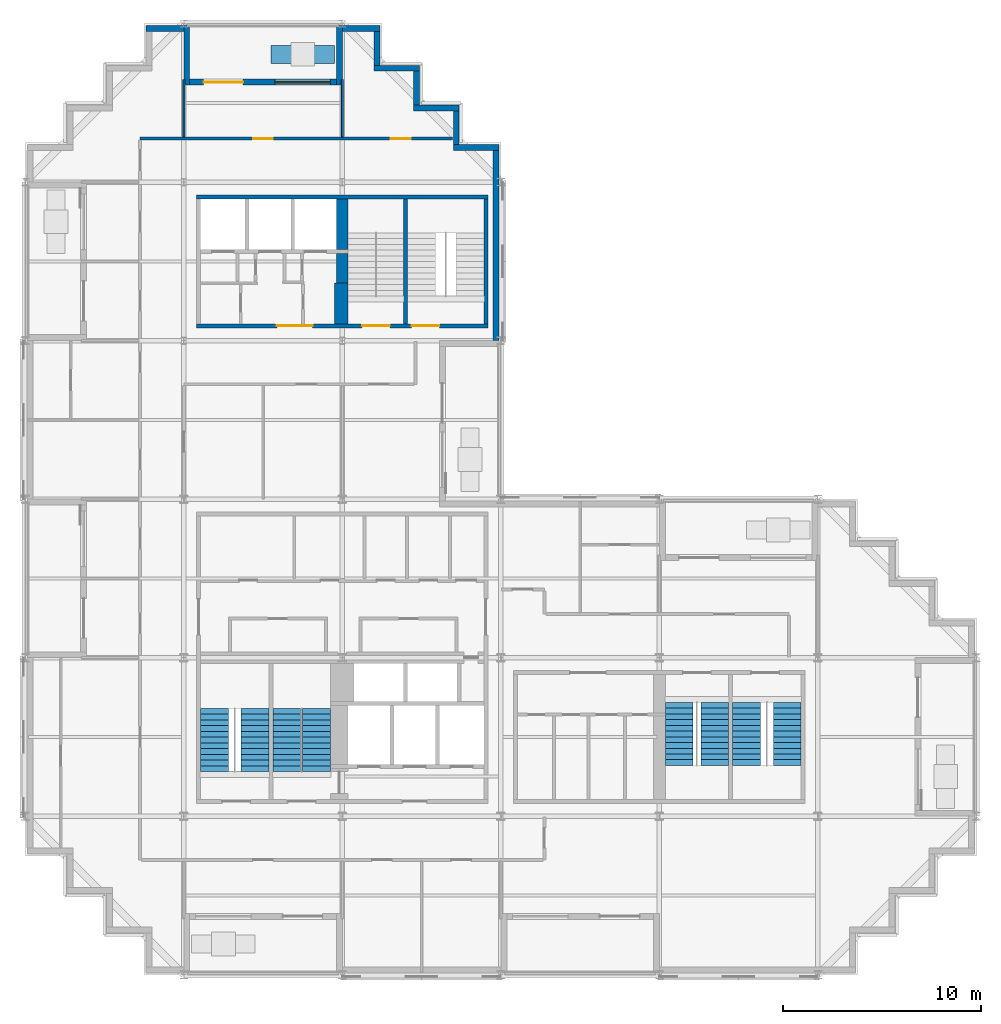
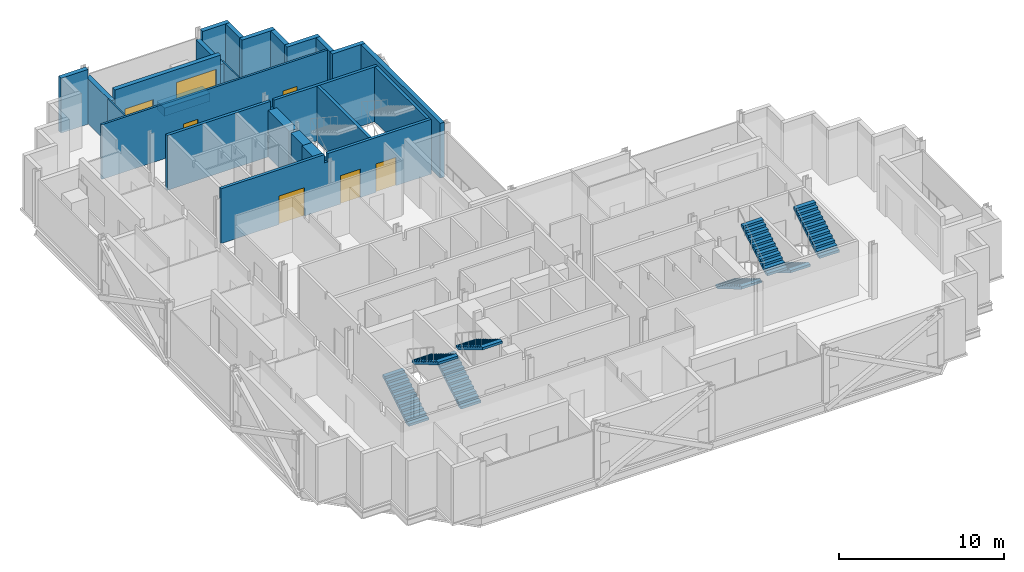
# One storey, part 9 of 13: 23 walls, 8 stair flights, 6 doors, 1 window, 7 openings, 4 elements without a shape of their own.
"""IFC4 building model written with IfcOpenShell, lengths in metres."""

from ifc_helpers import new_model, si_unit, direction, frame, frame_2d, origin, place, context, subcontext, project, spatial, polyline, rectangle, outline, extrude, material, layer, layer_set, type_object, element, fill, aggregate, save


model = new_model("IFC4")

# Units and contexts
model_context = context("Model", 3, precision=1e-05, world=origin(), true_north=direction((0.0, 1.0)))
body_context = subcontext(model_context, "Body", "Model", "MODEL_VIEW")
ifc_project = project(units=[si_unit("LENGTHUNIT", "METRE"), si_unit("AREAUNIT", "SQUARE_METRE"), si_unit("VOLUMEUNIT", "CUBIC_METRE"), si_unit("PLANEANGLEUNIT", "RADIAN"), si_unit("MASSUNIT", "GRAM", prefix="KILO")], contexts=[model_context])

# Site, building, storey
site_placement = place(None, origin())
site = spatial("IfcSite", under=ifc_project, at=site_placement, CompositionType="ELEMENT")
building_placement = place(site_placement, origin())
building = spatial("IfcBuilding", under=site, at=building_placement, Name="Immortelle Media Tower", CompositionType="ELEMENT")
storey_placement = place(building_placement, frame((0.0, 0.0, 166.199951171875)))
storey = spatial("IfcBuildingStorey", under=building, at=storey_placement, Name="L34", CompositionType="ELEMENT", Elevation=166.199951171875)

# Wall, openings, doors
ifc_material_1 = material(Name="Fire-rated gypsum board", Category="gypsum")
ifc_layer_1 = layer(ifc_material_1, 0.012451171875)
ifc_material_2 = material(Name="Steel ASTM A653 SS Gr 50 stud frame with mineral wool", Category="steel")
ifc_layer_2 = layer(ifc_material_2, 0.125)
ifc_layer_3 = layer(ifc_material_1, 0.012451171875)
ifc_layer_set_1 = layer_set([ifc_layer_1, ifc_layer_2, ifc_layer_3], Name="Steel ASTM A653 SS Gr 50 stud frame with mineral wool")
wall_type_1 = type_object("IfcWallType", Name="Corridor wall 150", PredefinedType="PARTITIONING", material=ifc_layer_set_1)
wall_1_placement = place(storey_placement, frame((5.800048828125, 42.199951171875, 0.0), z_axis=(0.0, 0.0, 1.0), x_axis=(1.0, 0.0, 0.0)))
wall_1 = element("IfcWall", 1, at=wall_1_placement, inside=storey, type_object=wall_type_1, Name="Partition L34-032", PredefinedType="PARTITIONING", context=body_context, shape_type="SweptSolid", body=[
    extrude(rectangle(XDim=15.77001953125, YDim=0.14990234375, at=frame_2d((7.885009765625, 0.0))), origin(), (0.0, 0.0, 1.0), 4.050048828125),
])
opening_1_placement = place(wall_1_placement, frame((5.699951171875, 0.0, 0.0)))
opening_1 = element("IfcOpeningElement", 2, at=opening_1_placement, cuts=wall_1, Name="Opening C5-F022", PredefinedType="OPENING", context=body_context, shape_type="SweptSolid", body=[
    extrude(rectangle(XDim=1.0, YDim=2.10009765625, at=frame_2d((0.5, 1.050048828125))), frame((0.0, 0.0849609375, 0.0), z_axis=(0.0, -1.0, 0.0), x_axis=(1.0, 0.0, 0.0)), (0.0, 0.0, 1.0), 0.169921875),
])
opening_2_placement = place(wall_1_placement, frame((12.64990234375, 0.0, 0.0)))
opening_2 = element("IfcOpeningElement", 3, at=opening_2_placement, cuts=wall_1, Name="Opening C5-F023", PredefinedType="OPENING", context=body_context, shape_type="SweptSolid", body=[
    extrude(rectangle(XDim=1.0, YDim=2.10009765625, at=frame_2d((0.5, 1.050048828125))), frame((0.0, 0.0849609375, 0.0), z_axis=(0.0, -1.0, 0.0), x_axis=(1.0, 0.0, 0.0)), (0.0, 0.0, 1.0), 0.169921875),
])
ifc_material_3 = material(Name="Timber veneered door leaf, galvanised steel frame ASTM A653", Category="steel")
door_type_1 = type_object("IfcDoorType", Name="Room door 1000 x 2100", OperationType="NOTDEFINED", PredefinedType="DOOR", material=ifc_material_3)
door_1_placement = place(opening_1_placement, origin())
door_1 = element("IfcDoor", 4, at=door_1_placement, inside=storey, type_object=door_type_1, Name="Door C5-F022", OperationType="SINGLE_SWING_LEFT", OverallHeight=2.10009765625, OverallWidth=1.0, PredefinedType="DOOR", context=body_context, shape_type="SweptSolid", body=[
    extrude(rectangle(XDim=1.0, YDim=2.10009765625, at=frame_2d((0.5, 1.050048828125))), frame((0.0, 0.02490234375, 0.0), z_axis=(0.0, -1.0, 0.0), x_axis=(1.0, 0.0, 0.0)), (0.0, 0.0, 1.0), 0.050048828125),
])
fill(opening_1, door_1)
door_2_placement = place(opening_2_placement, origin())
door_2 = element("IfcDoor", 5, at=door_2_placement, inside=storey, type_object=door_type_1, Name="Door C5-F023", OperationType="SINGLE_SWING_RIGHT", OverallHeight=2.10009765625, OverallWidth=1.0, PredefinedType="DOOR", context=body_context, shape_type="SweptSolid", body=[
    extrude(rectangle(XDim=1.0, YDim=2.10009765625, at=frame_2d((0.5, 1.050048828125))), frame((0.0, 0.02490234375, 0.0), z_axis=(0.0, -1.0, 0.0), x_axis=(1.0, 0.0, 0.0)), (0.0, 0.0, 1.0), 0.050048828125),
])
fill(opening_2, door_2)

# Walls
ifc_material_4 = material(Name="Pale aluminium cladding panel", Category="aluminium")
ifc_layer_4 = layer(ifc_material_4, 0.030029296875)
ifc_layer_5 = layer(ifc_material_2, 0.257568359375)
ifc_material_5 = material(Name="Moisture-resistant gypsum board", Category="gypsum")
ifc_layer_6 = layer(ifc_material_5, 0.012451171875)
ifc_layer_set_2 = layer_set([ifc_layer_4, ifc_layer_5, ifc_layer_6], Name="Steel ASTM A653 SS Gr 50 stud frame with mineral wool")
wall_type_2 = type_object("IfcWallType", Name="Facade wall 300", PredefinedType="SOLIDWALL", material=ifc_layer_set_2)
wall_2_placement = place(storey_placement, frame((23.75, 32.0, 0.0), z_axis=(0.0, 0.0, 1.0), x_axis=(0.0, 1.0, 0.0)))
element("IfcWall", 6, at=wall_2_placement, inside=storey, type_object=wall_type_2, Name="Facade wall L34 E21", PredefinedType="SOLIDWALL", context=body_context, shape_type="SweptSolid", body=[
    extrude(rectangle(XDim=9.60009765625, YDim=0.300048828125, at=frame_2d((4.800048828125, 0.0))), origin(), (0.0, 0.0, 1.0), 4.050048828125),
])
wall_3_placement = place(storey_placement, frame((23.89990234375, 41.75, 0.0), z_axis=(0.0, 0.0, 1.0), x_axis=(-1.0, 0.0, 0.0)))
element("IfcWall", 7, at=wall_3_placement, inside=storey, type_object=wall_type_2, Name="Facade wall L34 N22", PredefinedType="SOLIDWALL", context=body_context, shape_type="SweptSolid", body=[
    extrude(rectangle(XDim=2.2998046875, YDim=0.300048828125, at=frame_2d((1.14990234375, 0.0))), origin(), (0.0, 0.0, 1.0), 4.050048828125),
])
wall_4_placement = place(storey_placement, frame((21.75, 41.89990234375, 0.0), z_axis=(0.0, 0.0, 1.0), x_axis=(0.0, 1.0, 0.0)))
element("IfcWall", 8, at=wall_4_placement, inside=storey, type_object=wall_type_2, Name="Facade wall L34 E23", PredefinedType="SOLIDWALL", context=body_context, shape_type="SweptSolid", body=[
    extrude(rectangle(XDim=1.7001953125, YDim=0.300048828125, at=frame_2d((0.85009765625, 0.0))), origin(), (0.0, 0.0, 1.0), 4.050048828125),
])
wall_5_placement = place(storey_placement, frame((21.89990234375, 43.75, 0.0), z_axis=(0.0, 0.0, 1.0), x_axis=(-1.0, 0.0, 0.0)))
element("IfcWall", 9, at=wall_5_placement, inside=storey, type_object=wall_type_2, Name="Facade wall L34 N24", PredefinedType="SOLIDWALL", context=body_context, shape_type="SweptSolid", body=[
    extrude(rectangle(XDim=2.2998046875, YDim=0.300048828125, at=frame_2d((1.14990234375, 0.0))), origin(), (0.0, 0.0, 1.0), 4.050048828125),
])
wall_6_placement = place(storey_placement, frame((19.75, 43.89990234375, 0.0), z_axis=(0.0, 0.0, 1.0), x_axis=(0.0, 1.0, 0.0)))
element("IfcWall", 10, at=wall_6_placement, inside=storey, type_object=wall_type_2, Name="Facade wall L34 E25", PredefinedType="SOLIDWALL", context=body_context, shape_type="SweptSolid", body=[
    extrude(rectangle(XDim=1.7001953125, YDim=0.300048828125, at=frame_2d((0.85009765625, 0.0))), origin(), (0.0, 0.0, 1.0), 4.050048828125),
])
wall_7_placement = place(storey_placement, frame((19.89990234375, 45.75, 0.0), z_axis=(0.0, 0.0, 1.0), x_axis=(-1.0, 0.0, 0.0)))
element("IfcWall", 11, at=wall_7_placement, inside=storey, type_object=wall_type_2, Name="Facade wall L34 N26", PredefinedType="SOLIDWALL", context=body_context, shape_type="SweptSolid", body=[
    extrude(rectangle(XDim=2.2998046875, YDim=0.300048828125, at=frame_2d((1.14990234375, 0.0))), origin(), (0.0, 0.0, 1.0), 4.050048828125),
])
wall_8_placement = place(storey_placement, frame((17.75, 45.89990234375, 0.0), z_axis=(0.0, 0.0, 1.0), x_axis=(0.0, 1.0, 0.0)))
element("IfcWall", 12, at=wall_8_placement, inside=storey, type_object=wall_type_2, Name="Facade wall L34 E27", PredefinedType="SOLIDWALL", context=body_context, shape_type="SweptSolid", body=[
    extrude(rectangle(XDim=1.7001953125, YDim=0.300048828125, at=frame_2d((0.85009765625, 0.0))), origin(), (0.0, 0.0, 1.0), 4.050048828125),
])
wall_9_placement = place(storey_placement, frame((17.89990234375, 47.75, 0.0), z_axis=(0.0, 0.0, 1.0), x_axis=(-1.0, 0.0, 0.0)))
element("IfcWall", 13, at=wall_9_placement, inside=storey, type_object=wall_type_2, Name="Facade wall L34 N28", PredefinedType="SOLIDWALL", context=body_context, shape_type="SweptSolid", body=[
    extrude(rectangle(XDim=1.89990234375, YDim=0.300048828125, at=frame_2d((0.949951171875, 0.0))), origin(), (0.0, 0.0, 1.0), 4.050048828125),
])

# Wall, openings, door, window
wall_10_placement = place(storey_placement, frame((15.699951171875, 45.050048828125, 0.0), z_axis=(0.0, 0.0, 1.0), x_axis=(-1.0, 0.0, 0.0)))
wall_10 = element("IfcWall", 14, at=wall_10_placement, inside=storey, type_object=wall_type_2, Name="Loggia wall L34 N28", PredefinedType="SOLIDWALL", context=body_context, shape_type="SweptSolid", body=[
    extrude(rectangle(XDim=7.39990234375, YDim=0.300048828125, at=frame_2d((3.699951171875, 0.0))), origin(), (0.0, 0.0, 1.0), 4.050048828125),
])
opening_3_placement = place(wall_10_placement, frame((0.300048828125, 0.0, 0.89990234375)))
opening_3 = element("IfcOpeningElement", 15, at=opening_3_placement, cuts=wall_10, Name="Opening W1", PredefinedType="OPENING", context=body_context, shape_type="SweptSolid", body=[
    extrude(rectangle(XDim=2.800048828125, YDim=2.199951171875, at=frame_2d((1.39990234375, 1.10009765625))), frame((0.0, 0.159912109375, 0.0), z_axis=(0.0, -1.0, 0.0), x_axis=(1.0, 0.0, 0.0)), (0.0, 0.0, 1.0), 0.320068359375),
])
opening_4_placement = place(wall_10_placement, frame((4.699951171875, 0.0, 0.0)))
opening_4 = element("IfcOpeningElement", 16, at=opening_4_placement, cuts=wall_10, Name="Opening C5-E006", PredefinedType="OPENING", context=body_context, shape_type="SweptSolid", body=[
    extrude(rectangle(XDim=2.0, YDim=2.39990234375, at=frame_2d((1.0, 1.199951171875))), frame((0.0, 0.159912109375, 0.0), z_axis=(0.0, -1.0, 0.0), x_axis=(1.0, 0.0, 0.0)), (0.0, 0.0, 1.0), 0.320068359375),
])
ifc_material_6 = material(Name="Aluminium frame, glazed leaves", Category="aluminium")
door_type_2 = type_object("IfcDoorType", Name="Loggia door 2000 x 2400", OperationType="DOUBLE_DOOR_SINGLE_SWING", PredefinedType="DOOR", material=ifc_material_6)
door_3_placement = place(opening_4_placement, origin())
door_3 = element("IfcDoor", 17, at=door_3_placement, inside=storey, type_object=door_type_2, Name="Door C5-E006", OperationType="DOUBLE_DOOR_SINGLE_SWING", OverallHeight=2.39990234375, OverallWidth=2.0, PredefinedType="DOOR", context=body_context, shape_type="SweptSolid", body=[
    extrude(rectangle(XDim=2.0, YDim=2.39990234375, at=frame_2d((1.0, 1.199951171875))), frame((0.0, 0.02490234375, 0.0), z_axis=(0.0, -1.0, 0.0), x_axis=(1.0, 0.0, 0.0)), (0.0, 0.0, 1.0), 0.050048828125),
])
fill(opening_4, door_3)
ifc_material_7 = material(Name="Aluminium frame", Category="aluminium")
window_type = type_object("IfcWindowType", Name="Window 2800 x 2200", PartitioningType="SINGLE_PANEL", PredefinedType="WINDOW", material=ifc_material_7)
window_placement = place(opening_3_placement, origin())
window = element("IfcWindow", 18, at=window_placement, inside=storey, type_object=window_type, Name="Window L34 L34-R28-B0", OverallHeight=2.199951171875, OverallWidth=2.800048828125, PartitioningType="SINGLE_PANEL", PredefinedType="WINDOW", context=body_context, shape_type="SweptSolid", body=[
    extrude(rectangle(XDim=2.800048828125, YDim=2.199951171875, at=frame_2d((1.39990234375, 1.10009765625))), frame((0.0, 0.030029296875, 0.0), z_axis=(0.0, -1.0, 0.0), x_axis=(1.0, 0.0, 0.0)), (0.0, 0.0, 1.0), 0.06005859375),
])
fill(opening_3, window)

# Walls
for number, where, z_axis, x_axis, name in (
    (19, (15.85009765625, 47.89990234375, 0.0), (0.0, 0.0, 1.0), (0.0, -1.0, 0.0), "Loggia cheek wall L34 N"),
    (20, (8.14990234375, 47.89990234375, 0.0), (0.0, 0.0, 1.0), (0.0, -1.0, 0.0), "Loggia cheek wall L34 N"),
):
    element("IfcWall", number, at=place(storey_placement, frame(where, z_axis=z_axis, x_axis=x_axis)), inside=storey, type_object=wall_type_2, Name=name, PredefinedType="SOLIDWALL", context=body_context, shape_type="SweptSolid", body=[
        extrude(rectangle(XDim=3.0, YDim=0.300048828125, at=frame_2d((1.5, 0.0))), origin(), (0.0, 0.0, 1.0), 3.35302734375),
    ])
wall_11_placement = place(storey_placement, frame((8.0, 47.75, 0.0), z_axis=(0.0, 0.0, 1.0), x_axis=(-1.0, 0.0, 0.0)))
element("IfcWall", 21, at=wall_11_placement, inside=storey, type_object=wall_type_2, Name="Facade wall L34 N28", PredefinedType="SOLIDWALL", context=body_context, shape_type="SweptSolid", body=[
    extrude(rectangle(XDim=1.89990234375, YDim=0.300048828125, at=frame_2d((0.949951171875, 0.0))), origin(), (0.0, 0.0, 1.0), 4.050048828125),
])
ifc_material_8 = material(Name="Gypsum board", Category="gypsum")
ifc_layer_7 = layer(ifc_material_8, 0.012451171875)
ifc_layer_8 = layer(ifc_material_2, 0.074951171875)
ifc_layer_9 = layer(ifc_material_8, 0.012451171875)
ifc_layer_set_3 = layer_set([ifc_layer_7, ifc_layer_8, ifc_layer_9], Name="Steel ASTM A653 SS Gr 50 stud frame with mineral wool")
wall_type_3 = type_object("IfcWallType", Name="Partition 100", PredefinedType="PARTITIONING", material=ifc_layer_set_3)
for number, where, z_axis, x_axis, name in (
    (22, (8.0, 42.27490234375, 0.0), (0.0, 0.0, 1.0), (0.0, 1.0, 0.0), "Partition L34-033"),
    (23, (16.0, 42.27490234375, 0.0), (0.0, 0.0, 1.0), (0.0, 1.0, 0.0), "Partition L34-034"),
):
    element("IfcWall", number, at=place(storey_placement, frame(where, z_axis=z_axis, x_axis=x_axis)), inside=storey, type_object=wall_type_3, Name=name, PredefinedType="PARTITIONING", context=body_context, shape_type="SweptSolid", body=[
        extrude(rectangle(XDim=2.89501953125, YDim=0.10009765625, at=frame_2d((1.447509765625, 0.0))), origin(), (0.0, 0.0, 1.0), 3.35400390625),
    ])
ifc_layer_10 = layer(ifc_material_4, 0.0029296875)
ifc_material_9 = material(Name="Steel ASTM A572 Gr 50 planter shell", Category="steel")
ifc_layer_11 = layer(ifc_material_9, 0.011962890625)
ifc_material_10 = material(Name="Planting substrate", Category="soil")
ifc_layer_12 = layer(ifc_material_10, 0.873046875)
ifc_layer_13 = layer(ifc_material_9, 0.011962890625)
ifc_layer_set_4 = layer_set([ifc_layer_10, ifc_layer_11, ifc_layer_12, ifc_layer_13], Name="Steel ASTM A572 Gr 50 planter shell")
wall_type_4 = type_object("IfcWallType", Name="Planter wall 900", PredefinedType="SOLIDWALL", material=ifc_layer_set_4)
wall_12_placement = place(storey_placement, frame((15.60009765625, 46.449951171875, 0.0), z_axis=(0.0, 0.0, 1.0), x_axis=(-1.0, 0.0, 0.0)))
element("IfcWall", 24, at=wall_12_placement, inside=storey, type_object=wall_type_4, Name="Planter L34 N0", PredefinedType="SOLIDWALL", context=body_context, shape_type="SweptSolid", body=[
    extrude(rectangle(XDim=3.2001953125, YDim=0.89990234375, at=frame_2d((1.60009765625, 0.0))), origin(), (0.0, 0.0, 1.0), 0.60009765625),
])

# Wall, openings, doors
ifc_material_11 = material(Name="Concrete C60", Category="concrete")
ifc_layer_14 = layer(ifc_material_11, 0.199951171875)
ifc_layer_set_5 = layer_set([ifc_layer_14], Name="Concrete C60")
wall_type_5 = type_object("IfcWallType", Name="Stair shaft wall 200", PredefinedType="PARTITIONING", material=ifc_layer_set_5)
wall_13_placement = place(storey_placement, frame((8.64990234375, 32.75, 0.0), z_axis=(0.0, 0.0, 1.0), x_axis=(1.0, 0.0, 0.0)))
wall_13 = element("IfcWall", 25, at=wall_13_placement, inside=storey, type_object=wall_type_5, Name="Stair shaft wall NW", PredefinedType="PARTITIONING", context=body_context, shape_type="SweptSolid", body=[
    extrude(outline(polyline([(0.0, 0.0), (14.7001953125, 0.0), (14.699951171875, 4.050048828125), (7.468994140625, 4.050048828125), (7.468017578125, 3.442138671875), (7.23193359375, 3.442138671875), (7.23095703125, 4.050048828125), (0.0, 4.050048828125), (0.0, 0.0)])), frame((0.0, 0.10009765625, 0.0), z_axis=(0.0, -1.0, 0.0), x_axis=(1.0, 0.0, 0.0)), (0.0, 0.0, 1.0), 0.199951171875),
])
opening_5_placement = place(wall_13_placement, frame((4.050048828125, 0.0, 0.0)))
opening_5 = element("IfcOpeningElement", 26, at=opening_5_placement, cuts=wall_13, Name="Opening C5-K029", PredefinedType="OPENING", context=body_context, shape_type="SweptSolid", body=[
    extrude(rectangle(XDim=1.800048828125, YDim=2.10009765625, at=frame_2d((0.89990234375, 1.050048828125))), frame((0.0, 0.10986328125, 0.0), z_axis=(0.0, -1.0, 0.0), x_axis=(1.0, 0.0, 0.0)), (0.0, 0.0, 1.0), 0.219970703125),
])
opening_6_placement = place(wall_13_placement, frame((8.35009765625, 0.0, 0.0)))
opening_6 = element("IfcOpeningElement", 27, at=opening_6_placement, cuts=wall_13, Name="Opening C5-K033", PredefinedType="OPENING", context=body_context, shape_type="SweptSolid", body=[
    extrude(rectangle(XDim=1.39990234375, YDim=2.10009765625, at=frame_2d((0.699951171875, 1.050048828125))), frame((0.0, 0.10986328125, 0.0), z_axis=(0.0, -1.0, 0.0), x_axis=(1.0, 0.0, 0.0)), (0.0, 0.0, 1.0), 0.219970703125),
])
opening_7_placement = place(wall_13_placement, frame((10.85009765625, 0.0, 0.0)))
opening_7 = element("IfcOpeningElement", 28, at=opening_7_placement, cuts=wall_13, Name="Opening C5-K034", PredefinedType="OPENING", context=body_context, shape_type="SweptSolid", body=[
    extrude(rectangle(XDim=1.39990234375, YDim=2.10009765625, at=frame_2d((0.699951171875, 1.050048828125))), frame((0.0, 0.10986328125, 0.0), z_axis=(0.0, -1.0, 0.0), x_axis=(1.0, 0.0, 0.0)), (0.0, 0.0, 1.0), 0.219970703125),
])
ifc_material_12 = material(Name="Galvanised steel door leaf and frame ASTM A653", Category="steel")
door_type_3 = type_object("IfcDoorType", Name="Lift lobby door 1800 x 2100", OperationType="DOUBLE_DOOR_SINGLE_SWING", PredefinedType="NOTDEFINED", material=ifc_material_12)
door_4_placement = place(opening_5_placement, origin())
door_4 = element("IfcDoor", 29, at=door_4_placement, inside=storey, type_object=door_type_3, Name="Lift lobby C5-K029", OperationType="DOUBLE_DOOR_SINGLE_SWING", OverallHeight=2.10009765625, OverallWidth=1.800048828125, PredefinedType="NOTDEFINED", context=body_context, shape_type="SweptSolid", body=[
    extrude(rectangle(XDim=1.800048828125, YDim=2.10009765625, at=frame_2d((0.89990234375, 1.050048828125))), frame((0.0, 0.02490234375, 0.0), z_axis=(0.0, -1.0, 0.0), x_axis=(1.0, 0.0, 0.0)), (0.0, 0.0, 1.0), 0.050048828125),
])
fill(opening_5, door_4)
door_type_4 = type_object("IfcDoorType", Name="Stair door 1400 x 2100", OperationType="DOUBLE_DOOR_SINGLE_SWING", PredefinedType="NOTDEFINED", material=ifc_material_12)
door_5_placement = place(opening_6_placement, origin())
door_5 = element("IfcDoor", 30, at=door_5_placement, inside=storey, type_object=door_type_4, Name="Stair C5-K033", OperationType="DOUBLE_DOOR_SINGLE_SWING", OverallHeight=2.10009765625, OverallWidth=1.39990234375, PredefinedType="NOTDEFINED", context=body_context, shape_type="SweptSolid", body=[
    extrude(rectangle(XDim=1.39990234375, YDim=2.10009765625, at=frame_2d((0.699951171875, 1.050048828125))), frame((0.0, 0.02490234375, 0.0), z_axis=(0.0, -1.0, 0.0), x_axis=(1.0, 0.0, 0.0)), (0.0, 0.0, 1.0), 0.050048828125),
])
fill(opening_6, door_5)
door_6_placement = place(opening_7_placement, origin())
door_6 = element("IfcDoor", 31, at=door_6_placement, inside=storey, type_object=door_type_4, Name="Stair C5-K034", OperationType="DOUBLE_DOOR_SINGLE_SWING", OverallHeight=2.10009765625, OverallWidth=1.39990234375, PredefinedType="NOTDEFINED", context=body_context, shape_type="SweptSolid", body=[
    extrude(rectangle(XDim=1.39990234375, YDim=2.10009765625, at=frame_2d((0.699951171875, 1.050048828125))), frame((0.0, 0.02490234375, 0.0), z_axis=(0.0, -1.0, 0.0), x_axis=(1.0, 0.0, 0.0)), (0.0, 0.0, 1.0), 0.050048828125),
])
fill(opening_7, door_6)

# Walls
wall_14_placement = place(storey_placement, frame((8.64990234375, 39.25, 0.0), z_axis=(0.0, 0.0, 1.0), x_axis=(1.0, 0.0, 0.0)))
element("IfcWall", 32, at=wall_14_placement, inside=storey, type_object=wall_type_5, Name="Stair shaft wall NW", PredefinedType="PARTITIONING", context=body_context, shape_type="SweptSolid", body=[
    extrude(outline(polyline([(0.0, 0.0), (14.7001953125, 0.0), (14.699951171875, 4.050048828125), (7.468994140625, 4.050048828125), (7.468017578125, 3.442138671875), (7.23193359375, 3.442138671875), (7.23095703125, 4.050048828125), (0.0, 4.050048828125), (0.0, 0.0)])), frame((0.0, 0.10009765625, 0.0), z_axis=(0.0, -1.0, 0.0), x_axis=(1.0, 0.0, 0.0)), (0.0, 0.0, 1.0), 0.199951171875),
])
for number, where, z_axis, x_axis, name in (
    (33, (19.199951171875, 32.85009765625, 0.0), (0.0, 0.0, 1.0), (0.0, 1.0, 0.0), "Stair shaft wall NW"),
    (34, (23.25, 32.85009765625, 0.0), (0.0, 0.0, 1.0), (0.0, 1.0, 0.0), "Stair shaft wall NW"),
):
    element("IfcWall", number, at=place(storey_placement, frame(where, z_axis=z_axis, x_axis=x_axis)), inside=storey, type_object=wall_type_5, Name=name, PredefinedType="PARTITIONING", context=body_context, shape_type="SweptSolid", body=[
        extrude(rectangle(XDim=6.2998046875, YDim=0.199951171875, at=frame_2d((3.14990234375, 0.0))), origin(), (0.0, 0.0, 1.0), 4.050048828125),
    ])
ifc_layer_15 = layer(ifc_material_11, 0.60009765625)
ifc_layer_set_6 = layer_set([ifc_layer_15], Name="Concrete C60")
wall_type_6 = type_object("IfcWallType", Name="Stair shaft wall 600", PredefinedType="PARTITIONING", material=ifc_layer_set_6)
wall_15_placement = place(storey_placement, frame((16.0, 34.89990234375, 0.0), z_axis=(0.0, 0.0, 1.0), x_axis=(0.0, 1.0, 0.0)))
element("IfcWall", 35, at=wall_15_placement, inside=storey, type_object=wall_type_6, Name="Stair shaft wall NW", PredefinedType="PARTITIONING", context=body_context, shape_type="SweptSolid", body=[
    extrude(rectangle(XDim=1.5, YDim=0.60009765625, at=frame_2d((0.75, 0.0))), origin(), (0.0, 0.0, 1.0), 3.442138671875),
])
wall_16_placement = place(storey_placement, frame((16.0, 36.60009765625, 0.0), z_axis=(0.0, 0.0, 1.0), x_axis=(0.0, 1.0, 0.0)))
element("IfcWall", 36, at=wall_16_placement, inside=storey, type_object=wall_type_6, Name="Stair shaft wall NW", PredefinedType="PARTITIONING", context=body_context, shape_type="SweptSolid", body=[
    extrude(rectangle(XDim=2.5498046875, YDim=0.60009765625, at=frame_2d((1.27490234375, 0.0))), origin(), (0.0, 0.0, 1.0), 3.442138671875),
])
ifc_layer_16 = layer(ifc_material_11, 0.699951171875)
ifc_layer_set_7 = layer_set([ifc_layer_16], Name="Concrete C60")
wall_type_7 = type_object("IfcWallType", Name="Stair shaft wall 700", PredefinedType="PARTITIONING", material=ifc_layer_set_7)
wall_17_placement = place(storey_placement, frame((15.949951171875, 32.85009765625, 0.0), z_axis=(0.0, 0.0, 1.0), x_axis=(0.0, 1.0, 0.0)))
element("IfcWall", 37, at=wall_17_placement, inside=storey, type_object=wall_type_7, Name="Stair shaft wall NW", PredefinedType="PARTITIONING", context=body_context, shape_type="SweptSolid", body=[
    extrude(rectangle(XDim=2.0498046875, YDim=0.699951171875, at=frame_2d((1.02490234375, 0.0))), origin(), (0.0, 0.0, 1.0), 3.442138671875),
])

# Stair, stair flights
ifc_material_13 = material(Name="Steel ASTM A992 Gr 50", Category="steel")
stair_type = type_object("IfcStairType", Name="Stair with flights", PredefinedType="DOUBLE_RETURN_STAIR", material=ifc_material_13)
stair_1_placement = place(storey_placement, origin())
stair_1 = element("IfcStair", 38, at=stair_1_placement, inside=storey, type_object=stair_type, Name="Exit stair SW1", PredefinedType="DOUBLE_RETURN_STAIR")
stair_flight_type = type_object("IfcStairFlightType", Name="Stair flight 1400", PredefinedType="STRAIGHT", material=ifc_material_13)
stair_flight_1_placement = place(storey_placement, frame((9.550048828125, 10.25, 0.0), z_axis=(0.0, 0.0, 1.0), x_axis=(0.0, 1.0, 0.0)))
stair_flight_1 = element("IfcStairFlight", 39, at=stair_flight_1_placement, type_object=stair_flight_type, Name="ST SW1 flight 1", NumberOfRisers=12, NumberOfTreads=11, PredefinedType="STRAIGHT", RiserHeight=0.175, TreadLength=0.29, context=body_context, shape_type="SweptSolid", body=[
    extrude(outline(polyline([(0.0, 0.0), (0.0, 0.175048828125), (0.2900390625, 0.175048828125), (0.2900390625, 0.35009765625), (0.580078125, 0.35009765625), (0.580078125, 0.52490234375), (0.8701171875, 0.52490234375), (0.8701171875, 0.699951171875), (1.159912109375, 0.699951171875), (1.159912109375, 0.875), (1.449951171875, 0.875), (1.449951171875, 1.050048828125), (1.739990234375, 1.050048828125), (1.739990234375, 1.22509765625), (2.030029296875, 1.22509765625), (2.030029296875, 1.39990234375), (2.320068359375, 1.39990234375), (2.320068359375, 1.574951171875), (2.610107421875, 1.574951171875), (2.610107421875, 1.75), (2.89990234375, 1.75), (2.89990234375, 1.925048828125), (3.18994140625, 1.925048828125), (3.18994140625, 2.10009765625), (3.18994140625, 1.75), (0.2900390625, 0.0), (0.0, 0.0)])), frame((0.0, 0.699951171875, 0.0), z_axis=(0.0, -1.0, 0.0), x_axis=(1.0, 0.0, 0.0)), (0.0, 0.0, 1.0), 1.39990234375),
])
stair_flight_2_placement = place(storey_placement, frame((11.60009765625, 13.43994140625, 2.10009765625), z_axis=(0.0, 0.0, 1.0), x_axis=(0.0, -1.0, 0.0)))
stair_flight_2 = element("IfcStairFlight", 40, at=stair_flight_2_placement, type_object=stair_flight_type, Name="ST SW1 flight 2", NumberOfRisers=12, NumberOfTreads=11, PredefinedType="STRAIGHT", RiserHeight=0.175, TreadLength=0.29, context=body_context, shape_type="SweptSolid", body=[
    extrude(outline(polyline([(0.0, 0.0), (0.0, 0.175048828125), (0.2900390625, 0.175048828125), (0.2900390625, 0.35009765625), (0.580078125, 0.35009765625), (0.580078125, 0.52490234375), (0.8701171875, 0.52490234375), (0.8701171875, 0.699951171875), (1.159912109375, 0.699951171875), (1.159912109375, 0.875), (1.449951171875, 0.875), (1.449951171875, 1.050048828125), (1.739990234375, 1.050048828125), (1.739990234375, 1.22509765625), (2.030029296875, 1.22509765625), (2.030029296875, 1.39990234375), (2.320068359375, 1.39990234375), (2.320068359375, 1.574951171875), (2.610107421875, 1.574951171875), (2.610107421875, 1.75), (2.89990234375, 1.75), (2.89990234375, 1.925048828125), (3.18994140625, 1.925048828125), (3.18994140625, 2.10009765625), (3.18994140625, 1.75), (0.2900390625, 0.0), (0.0, 0.0)])), frame((0.0, 0.699951171875, 0.0), z_axis=(0.0, -1.0, 0.0), x_axis=(1.0, 0.0, 0.0)), (0.0, 0.0, 1.0), 1.39990234375),
])
aggregate(stair_1, [stair_flight_1, stair_flight_2])

stair_2_placement = place(storey_placement, origin())
stair_2 = element("IfcStair", 41, at=stair_2_placement, inside=storey, type_object=stair_type, Name="Exit stair SW2", PredefinedType="DOUBLE_RETURN_STAIR")
stair_flight_3_placement = place(storey_placement, frame((13.199951171875, 10.25, 0.0), z_axis=(0.0, 0.0, 1.0), x_axis=(0.0, 1.0, 0.0)))
stair_flight_3 = element("IfcStairFlight", 42, at=stair_flight_3_placement, type_object=stair_flight_type, Name="ST SW2 flight 1", NumberOfRisers=12, NumberOfTreads=11, PredefinedType="STRAIGHT", RiserHeight=0.175, TreadLength=0.29, context=body_context, shape_type="SweptSolid", body=[
    extrude(outline(polyline([(0.0, 0.0), (0.0, 0.175048828125), (0.2900390625, 0.175048828125), (0.2900390625, 0.35009765625), (0.580078125, 0.35009765625), (0.580078125, 0.52490234375), (0.8701171875, 0.52490234375), (0.8701171875, 0.699951171875), (1.159912109375, 0.699951171875), (1.159912109375, 0.875), (1.449951171875, 0.875), (1.449951171875, 1.050048828125), (1.739990234375, 1.050048828125), (1.739990234375, 1.22509765625), (2.030029296875, 1.22509765625), (2.030029296875, 1.39990234375), (2.320068359375, 1.39990234375), (2.320068359375, 1.574951171875), (2.610107421875, 1.574951171875), (2.610107421875, 1.75), (2.89990234375, 1.75), (2.89990234375, 1.925048828125), (3.18994140625, 1.925048828125), (3.18994140625, 2.10009765625), (3.18994140625, 1.75), (0.2900390625, 0.0), (0.0, 0.0)])), frame((0.0, 0.699951171875, 0.0), z_axis=(0.0, -1.0, 0.0), x_axis=(1.0, 0.0, 0.0)), (0.0, 0.0, 1.0), 1.39990234375),
])
stair_flight_4_placement = place(storey_placement, frame((14.699951171875, 13.43994140625, 2.10009765625), z_axis=(0.0, 0.0, 1.0), x_axis=(0.0, -1.0, 0.0)))
stair_flight_4 = element("IfcStairFlight", 43, at=stair_flight_4_placement, type_object=stair_flight_type, Name="ST SW2 flight 2", NumberOfRisers=12, NumberOfTreads=11, PredefinedType="STRAIGHT", RiserHeight=0.175, TreadLength=0.29, context=body_context, shape_type="SweptSolid", body=[
    extrude(outline(polyline([(0.0, 0.0), (0.0, 0.175048828125), (0.2900390625, 0.175048828125), (0.2900390625, 0.35009765625), (0.580078125, 0.35009765625), (0.580078125, 0.52490234375), (0.8701171875, 0.52490234375), (0.8701171875, 0.699951171875), (1.159912109375, 0.699951171875), (1.159912109375, 0.875), (1.449951171875, 0.875), (1.449951171875, 1.050048828125), (1.739990234375, 1.050048828125), (1.739990234375, 1.22509765625), (2.030029296875, 1.22509765625), (2.030029296875, 1.39990234375), (2.320068359375, 1.39990234375), (2.320068359375, 1.574951171875), (2.610107421875, 1.574951171875), (2.610107421875, 1.75), (2.89990234375, 1.75), (2.89990234375, 1.925048828125), (3.18994140625, 1.925048828125), (3.18994140625, 2.10009765625), (3.18994140625, 1.75), (0.2900390625, 0.0), (0.0, 0.0)])), frame((0.0, 0.699951171875, 0.0), z_axis=(0.0, -1.0, 0.0), x_axis=(1.0, 0.0, 0.0)), (0.0, 0.0, 1.0), 1.39990234375),
])
aggregate(stair_2, [stair_flight_3, stair_flight_4])

stair_3_placement = place(storey_placement, origin())
stair_3 = element("IfcStair", 44, at=stair_3_placement, inside=storey, type_object=stair_type, Name="Exit stair SE1", PredefinedType="DOUBLE_RETURN_STAIR")
stair_flight_5_placement = place(storey_placement, frame((33.0, 13.75, 0.0), z_axis=(0.0, 0.0, 1.0), x_axis=(0.0, -1.0, 0.0)))
stair_flight_5 = element("IfcStairFlight", 45, at=stair_flight_5_placement, type_object=stair_flight_type, Name="ST SE1 flight 1", NumberOfRisers=12, NumberOfTreads=11, PredefinedType="STRAIGHT", RiserHeight=0.175, TreadLength=0.29, context=body_context, shape_type="SweptSolid", body=[
    extrude(outline(polyline([(0.0, 0.0), (0.0, 0.175048828125), (0.2900390625, 0.175048828125), (0.2900390625, 0.35009765625), (0.580078125, 0.35009765625), (0.580078125, 0.52490234375), (0.8701171875, 0.52490234375), (0.8701171875, 0.699951171875), (1.159912109375, 0.699951171875), (1.159912109375, 0.875), (1.449951171875, 0.875), (1.449951171875, 1.050048828125), (1.739990234375, 1.050048828125), (1.739990234375, 1.22509765625), (2.030029296875, 1.22509765625), (2.030029296875, 1.39990234375), (2.320068359375, 1.39990234375), (2.320068359375, 1.574951171875), (2.610107421875, 1.574951171875), (2.610107421875, 1.75), (2.89990234375, 1.75), (2.89990234375, 1.925048828125), (3.18994140625, 1.925048828125), (3.18994140625, 2.10009765625), (3.18994140625, 1.75), (0.2900390625, 0.0), (0.0, 0.0)])), frame((0.0, 0.699951171875, 0.0), z_axis=(0.0, -1.0, 0.0), x_axis=(1.0, 0.0, 0.0)), (0.0, 0.0, 1.0), 1.39990234375),
])
stair_flight_6_placement = place(storey_placement, frame((34.800048828125, 10.56005859375, 2.10009765625), z_axis=(0.0, 0.0, 1.0), x_axis=(0.0, 1.0, 0.0)))
stair_flight_6 = element("IfcStairFlight", 46, at=stair_flight_6_placement, type_object=stair_flight_type, Name="ST SE1 flight 2", NumberOfRisers=12, NumberOfTreads=11, PredefinedType="STRAIGHT", RiserHeight=0.175, TreadLength=0.29, context=body_context, shape_type="SweptSolid", body=[
    extrude(outline(polyline([(0.0, 0.0), (0.0, 0.175048828125), (0.2900390625, 0.175048828125), (0.2900390625, 0.35009765625), (0.580078125, 0.35009765625), (0.580078125, 0.52490234375), (0.8701171875, 0.52490234375), (0.8701171875, 0.699951171875), (1.159912109375, 0.699951171875), (1.159912109375, 0.875), (1.449951171875, 0.875), (1.449951171875, 1.050048828125), (1.739990234375, 1.050048828125), (1.739990234375, 1.22509765625), (2.030029296875, 1.22509765625), (2.030029296875, 1.39990234375), (2.320068359375, 1.39990234375), (2.320068359375, 1.574951171875), (2.610107421875, 1.574951171875), (2.610107421875, 1.75), (2.89990234375, 1.75), (2.89990234375, 1.925048828125), (3.18994140625, 1.925048828125), (3.18994140625, 2.10009765625), (3.18994140625, 1.75), (0.2900390625, 0.0), (0.0, 0.0)])), frame((0.0, 0.699951171875, 0.0), z_axis=(0.0, -1.0, 0.0), x_axis=(1.0, 0.0, 0.0)), (0.0, 0.0, 1.0), 1.39990234375),
])
aggregate(stair_3, [stair_flight_5, stair_flight_6])

stair_4_placement = place(storey_placement, origin())
stair_4 = element("IfcStair", 47, at=stair_4_placement, inside=storey, type_object=stair_type, Name="Exit stair SE2", PredefinedType="DOUBLE_RETURN_STAIR")
stair_flight_7_placement = place(storey_placement, frame((36.39990234375, 13.75, 0.0), z_axis=(0.0, 0.0, 1.0), x_axis=(0.0, -1.0, 0.0)))
stair_flight_7 = element("IfcStairFlight", 48, at=stair_flight_7_placement, type_object=stair_flight_type, Name="ST SE2 flight 1", NumberOfRisers=12, NumberOfTreads=11, PredefinedType="STRAIGHT", RiserHeight=0.175, TreadLength=0.29, context=body_context, shape_type="SweptSolid", body=[
    extrude(outline(polyline([(0.0, 0.0), (0.0, 0.175048828125), (0.2900390625, 0.175048828125), (0.2900390625, 0.35009765625), (0.580078125, 0.35009765625), (0.580078125, 0.52490234375), (0.8701171875, 0.52490234375), (0.8701171875, 0.699951171875), (1.159912109375, 0.699951171875), (1.159912109375, 0.875), (1.449951171875, 0.875), (1.449951171875, 1.050048828125), (1.739990234375, 1.050048828125), (1.739990234375, 1.22509765625), (2.030029296875, 1.22509765625), (2.030029296875, 1.39990234375), (2.320068359375, 1.39990234375), (2.320068359375, 1.574951171875), (2.610107421875, 1.574951171875), (2.610107421875, 1.75), (2.89990234375, 1.75), (2.89990234375, 1.925048828125), (3.18994140625, 1.925048828125), (3.18994140625, 2.10009765625), (3.18994140625, 1.75), (0.2900390625, 0.0), (0.0, 0.0)])), frame((0.0, 0.699951171875, 0.0), z_axis=(0.0, -1.0, 0.0), x_axis=(1.0, 0.0, 0.0)), (0.0, 0.0, 1.0), 1.39990234375),
])
stair_flight_8_placement = place(storey_placement, frame((38.449951171875, 10.56005859375, 2.10009765625), z_axis=(0.0, 0.0, 1.0), x_axis=(0.0, 1.0, 0.0)))
stair_flight_8 = element("IfcStairFlight", 49, at=stair_flight_8_placement, type_object=stair_flight_type, Name="ST SE2 flight 2", NumberOfRisers=12, NumberOfTreads=11, PredefinedType="STRAIGHT", RiserHeight=0.175, TreadLength=0.29, context=body_context, shape_type="SweptSolid", body=[
    extrude(outline(polyline([(0.0, 0.0), (0.0, 0.175048828125), (0.2900390625, 0.175048828125), (0.2900390625, 0.35009765625), (0.580078125, 0.35009765625), (0.580078125, 0.52490234375), (0.8701171875, 0.52490234375), (0.8701171875, 0.699951171875), (1.159912109375, 0.699951171875), (1.159912109375, 0.875), (1.449951171875, 0.875), (1.449951171875, 1.050048828125), (1.739990234375, 1.050048828125), (1.739990234375, 1.22509765625), (2.030029296875, 1.22509765625), (2.030029296875, 1.39990234375), (2.320068359375, 1.39990234375), (2.320068359375, 1.574951171875), (2.610107421875, 1.574951171875), (2.610107421875, 1.75), (2.89990234375, 1.75), (2.89990234375, 1.925048828125), (3.18994140625, 1.925048828125), (3.18994140625, 2.10009765625), (3.18994140625, 1.75), (0.2900390625, 0.0), (0.0, 0.0)])), frame((0.0, 0.699951171875, 0.0), z_axis=(0.0, -1.0, 0.0), x_axis=(1.0, 0.0, 0.0)), (0.0, 0.0, 1.0), 1.39990234375),
])
aggregate(stair_4, [stair_flight_7, stair_flight_8])

save(model, "model.ifc")
